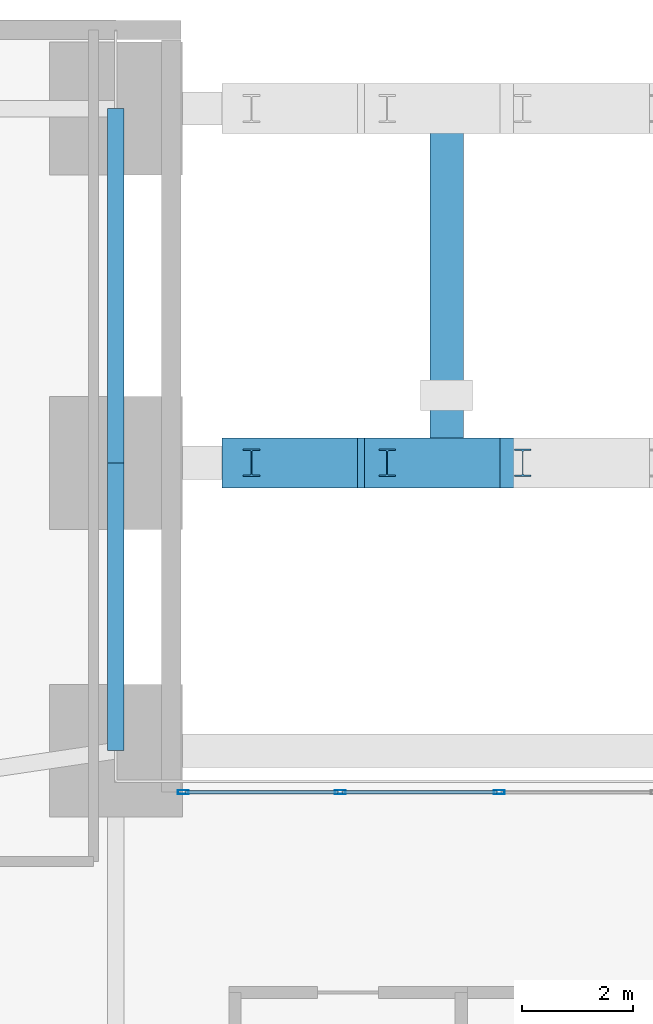
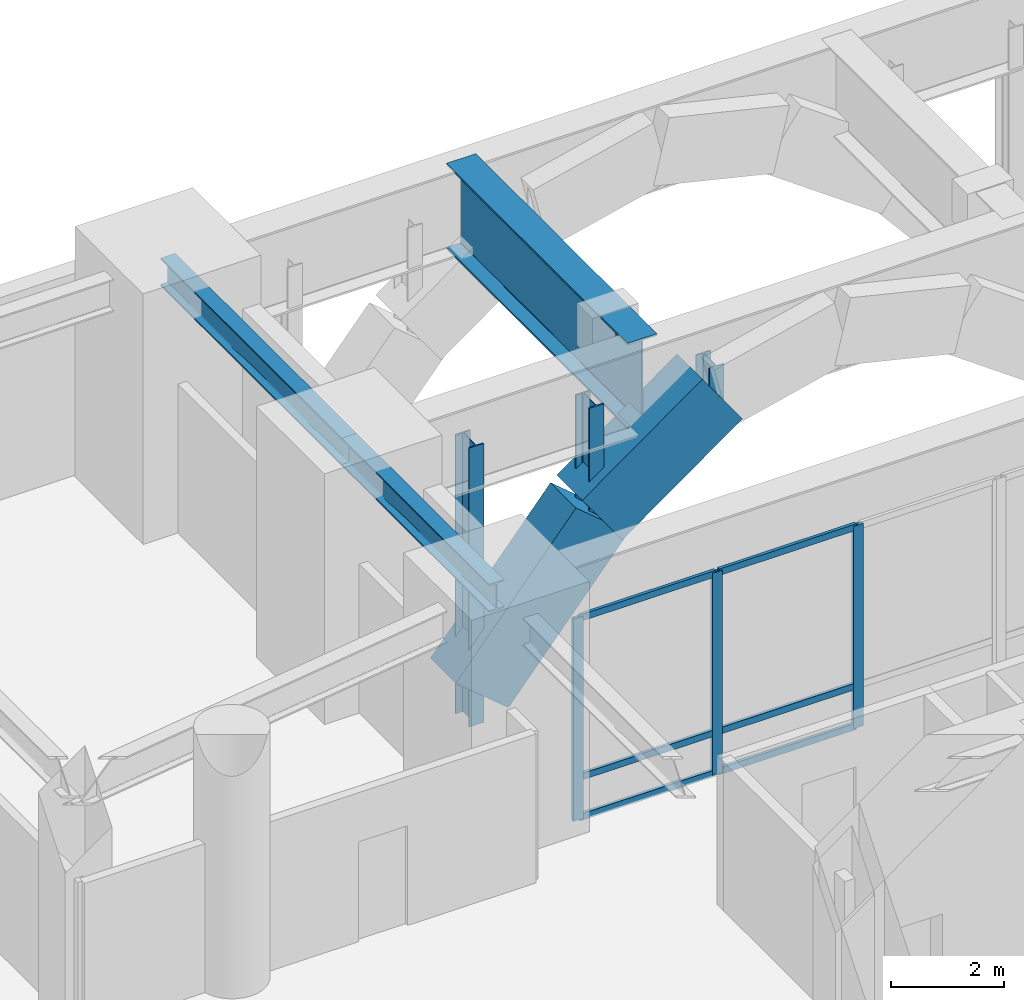
# One storey, part 8 of 18: 12 members, 5 beams, 1 element without a shape of its own.
"""IFC4 building model written with IfcOpenShell, lengths in metres."""

from ifc_helpers import new_model, si_unit, direction, frame, origin, origin_2d, place, context, subcontext, project, spatial, rectangle, hollow_rectangle, i_section, extrude, material, layer, layer_set, material_profile, profile_set, type_object, element, aggregate, save


model = new_model("IFC4")

# Units and contexts
model_context = context("Model", 3, precision=1e-05, world=origin(), true_north=direction((0.0, 1.0)))
body_context = subcontext(model_context, "Body", "Model", "MODEL_VIEW")
ifc_project = project(units=[si_unit("LENGTHUNIT", "METRE"), si_unit("AREAUNIT", "SQUARE_METRE"), si_unit("VOLUMEUNIT", "CUBIC_METRE"), si_unit("PLANEANGLEUNIT", "RADIAN"), si_unit("MASSUNIT", "GRAM", prefix="KILO"), si_unit("THERMODYNAMICTEMPERATUREUNIT", "KELVIN"), si_unit("POWERUNIT", "WATT")], contexts=[model_context])

# Site, building, storey
site_placement = place(None, origin())
site = spatial("IfcSite", under=ifc_project, at=site_placement, CompositionType="ELEMENT")
building_placement = place(site_placement, origin())
building = spatial("IfcBuilding", under=site, at=building_placement, Name="Ocrelia Relay Tower", CompositionType="ELEMENT")
storey_placement = place(building_placement, frame((0.0, 0.0, 10.199951171875)))
storey = spatial("IfcBuildingStorey", under=building, at=storey_placement, Name="L02", CompositionType="ELEMENT", Elevation=10.199951171875)

# Beams
ifc_material_1 = material(Name="Concrete C70/85", Category="concrete")
ifc_material_profile_1 = material_profile(ifc_material_1, rectangle(XDim=0.89990234375, YDim=1.39990234375, at=origin_2d()), Name="RC-BM-900x1400")
ifc_profile_set_1 = profile_set([ifc_material_profile_1], Name="Concrete C70/85")
beam_type_1 = type_object("IfcBeamType", Name="BM-ARCH-RIB", PredefinedType="USERDEFINED", material=ifc_profile_set_1)
beam_1_placement = place(storey_placement, frame((26.64990234375, 44.0, -1.107177734375), z_axis=(0.642360114755, 0.0, 0.766402950785), x_axis=(0.0, 1.0, 0.0)))
element("IfcBeam", 1, at=beam_1_placement, inside=storey, type_object=beam_type_1, Name="Monumental Portal Arch Rib N2 Seg 2", ObjectType="PORTAL ARCH", PredefinedType="USERDEFINED", context=body_context, shape_type="SweptSolid", body=[
    extrude(rectangle(XDim=0.89990234375, YDim=1.39990234375, at=origin_2d()), origin(), (0.0, 0.0, 1.0), 3.814453125),
])
beam_2_placement = place(storey_placement, frame((29.10009765625, 44.0, 1.816162109375), z_axis=(0.813075999957, 0.0, 0.582157554528), x_axis=(0.0, 1.0, 0.0)))
element("IfcBeam", 2, at=beam_2_placement, inside=storey, type_object=beam_type_1, Name="Monumental Portal Arch Rib N2 Seg 3", ObjectType="PORTAL ARCH", PredefinedType="USERDEFINED", context=body_context, shape_type="SweptSolid", body=[
    extrude(rectangle(XDim=0.89990234375, YDim=1.39990234375, at=origin_2d()), origin(), (0.0, 0.0, 1.0), 3.01318359375),
])
ifc_material_2 = material(Name="Steel S355", Category="steel")
ifc_material_profile_2 = material_profile(ifc_material_2, i_section(OverallWidth=0.300048828125, OverallDepth=0.60009765625, WebThickness=0.015380859375, FlangeThickness=0.030029296875, FilletRadius=0.027099609375, at=origin_2d()), Name="HEB 600")
ifc_profile_set_2 = profile_set([ifc_material_profile_2], Name="Steel S355")
beam_type_2 = type_object("IfcBeamType", Name="BM-HEB600", PredefinedType="BEAM", material=ifc_profile_set_2)
beam_3_placement = place(storey_placement, frame((24.199951171875, 38.800048828125, 4.780029296875), z_axis=(0.0, 1.0, 0.0), x_axis=(-1.0, 0.0, 0.0)))
element("IfcBeam", 3, at=beam_3_placement, inside=storey, type_object=beam_type_2, Name="L02 Pier Line Tie Girder AW-4", PredefinedType="BEAM", context=body_context, shape_type="SweptSolid", body=[
    extrude(i_section(OverallWidth=0.300048828125, OverallDepth=0.60009765625, WebThickness=0.015380859375, FlangeThickness=0.030029296875, FilletRadius=0.027099609375, at=origin_2d()), origin(), (0.0, 0.0, 1.0), 5.199951171875),
])
beam_4_placement = place(storey_placement, frame((24.199951171875, 44.0, 4.780029296875), z_axis=(0.0, 1.0, 0.0), x_axis=(-1.0, 0.0, 0.0)))
element("IfcBeam", 4, at=beam_4_placement, inside=storey, type_object=beam_type_2, Name="L02 Pier Line Tie Girder AW-5", PredefinedType="BEAM", context=body_context, shape_type="SweptSolid", body=[
    extrude(i_section(OverallWidth=0.300048828125, OverallDepth=0.60009765625, WebThickness=0.015380859375, FlangeThickness=0.030029296875, FilletRadius=0.027099609375, at=origin_2d()), origin(), (0.0, 0.0, 1.0), 6.39990234375),
])
ifc_material_profile_3 = material_profile(ifc_material_2, i_section(OverallWidth=0.60009765625, OverallDepth=1.85009765625, WebThickness=0.028076171875, FlangeThickness=0.0400390625, FilletRadius=0.02001953125, at=origin_2d()), Name="WPG 1850x600")
ifc_profile_set_3 = profile_set([ifc_material_profile_3], Name="Steel S355")
beam_type_3 = type_object("IfcBeamType", Name="BM-WPG1650", PredefinedType="T_BEAM", material=ifc_profile_set_3)
beam_5_placement = place(storey_placement, frame((30.17626953125, 44.0, 4.155029296875), z_axis=(0.0, 1.0, 0.0), x_axis=(-1.0, 0.0, 0.0)))
element("IfcBeam", 5, at=beam_5_placement, inside=storey, type_object=beam_type_3, Name="Portal Arch Column Collector Transfer Girder Z1-05", PredefinedType="T_BEAM", context=body_context, shape_type="SweptSolid", body=[
    extrude(i_section(OverallWidth=0.60009765625, OverallDepth=1.85009765625, WebThickness=0.028076171875, FlangeThickness=0.0400390625, FilletRadius=0.02001953125, at=origin_2d()), origin(), (0.0, 0.0, 1.0), 6.39990234375),
])

# Curtain wall, members
ifc_material_3 = material(Name="Aluminium and solar-control low-E glass", Category="aluminium")
ifc_layer = layer(ifc_material_3, 0.179931640625, Name="Aluminium and solar-control low-E glass")
ifc_layer_set = layer_set([ifc_layer], Name="Aluminium and solar-control low-E glass")
curtain_wall_type = type_object("IfcCurtainWallType", Name="CW-SYS-POD-ARCH", PredefinedType="NOTDEFINED", material=ifc_layer_set)
curtain_wall_placement = place(storey_placement, origin())
curtain_wall = element("IfcCurtainWall", 6, at=curtain_wall_placement, inside=storey, type_object=curtain_wall_type, Name="L02 North Portal Concourse Glazed Screen West", PredefinedType="NOTDEFINED")
ifc_material_4 = material(Name="Anodised bronze aluminium", Category="aluminium")
ifc_material_profile_4 = material_profile(ifc_material_4, hollow_rectangle(XDim=0.074951171875, YDim=0.199951171875, WallThickness=0.006103515625, at=origin_2d()), Name="CW-MUL-200x75")
ifc_profile_set_4 = profile_set([ifc_material_profile_4], Name="Anodised bronze aluminium")
member_type_1 = type_object("IfcMemberType", Name="CW-SYS-POD-ARCH-MUL", PredefinedType="MULLION", material=ifc_profile_set_4)
member_1_placement = place(storey_placement, frame((25.41748046875, 38.050048828125, 0.0), z_axis=(0.0, 0.0, 1.0), x_axis=(0.0, 1.0, 0.0)))
member_1 = element("IfcMember", 7, at=member_1_placement, type_object=member_type_1, Name="CW-PA mullion 1", PredefinedType="MULLION", context=body_context, shape_type="SweptSolid", body=[
    extrude(hollow_rectangle(XDim=0.074951171875, YDim=0.199951171875, WallThickness=0.006103515625, at=origin_2d()), origin(), (0.0, 0.0, 1.0), 4.360107421875),
])
member_2_placement = place(storey_placement, frame((28.25341796875, 38.050048828125, 0.0), z_axis=(0.0, 0.0, 1.0), x_axis=(0.0, 1.0, 0.0)))
member_2 = element("IfcMember", 8, at=member_2_placement, type_object=member_type_1, Name="CW-PA mullion 2", PredefinedType="MULLION", context=body_context, shape_type="SweptSolid", body=[
    extrude(hollow_rectangle(XDim=0.074951171875, YDim=0.199951171875, WallThickness=0.006103515625, at=origin_2d()), origin(), (0.0, 0.0, 1.0), 4.360107421875),
])
member_3_placement = place(storey_placement, frame((31.126708984375, 38.050048828125, 0.0), z_axis=(0.0, 0.0, 1.0), x_axis=(0.0, 1.0, 0.0)))
member_3 = element("IfcMember", 9, at=member_3_placement, type_object=member_type_1, Name="CW-PA mullion 3", PredefinedType="MULLION", context=body_context, shape_type="SweptSolid", body=[
    extrude(hollow_rectangle(XDim=0.074951171875, YDim=0.199951171875, WallThickness=0.006103515625, at=origin_2d()), origin(), (0.0, 0.0, 1.0), 4.360107421875),
])
ifc_material_profile_5 = material_profile(ifc_material_4, hollow_rectangle(XDim=0.06494140625, YDim=0.139892578125, WallThickness=0.0048828125, at=origin_2d()), Name="CW-TRN-140x65")
ifc_profile_set_5 = profile_set([ifc_material_profile_5], Name="Anodised bronze aluminium")
member_type_2 = type_object("IfcMemberType", Name="CW-SYS-POD-ARCH-TRN", PredefinedType="USERDEFINED", material=ifc_profile_set_5)
member_4_placement = place(storey_placement, frame((25.455078125, 38.050048828125, 0.032470703125), z_axis=(1.0, 0.0, 0.0), x_axis=(0.0, 1.0, 0.0)))
member_4 = element("IfcMember", 10, at=member_4_placement, type_object=member_type_2, Name="CW-PA transom 1.1", ObjectType="TRANSOM", PredefinedType="USERDEFINED", context=body_context, shape_type="SweptSolid", body=[
    extrude(hollow_rectangle(XDim=0.06494140625, YDim=0.139892578125, WallThickness=0.0048828125, at=origin_2d()), origin(), (0.0, 0.0, 1.0), 2.7607421875),
])
member_5_placement = place(storey_placement, frame((25.455078125, 38.050048828125, 0.900146484375), z_axis=(1.0, 0.0, 0.0), x_axis=(0.0, 1.0, 0.0)))
member_5 = element("IfcMember", 11, at=member_5_placement, type_object=member_type_2, Name="CW-PA transom 1.2", ObjectType="TRANSOM", PredefinedType="USERDEFINED", context=body_context, shape_type="SweptSolid", body=[
    extrude(hollow_rectangle(XDim=0.06494140625, YDim=0.139892578125, WallThickness=0.0048828125, at=origin_2d()), origin(), (0.0, 0.0, 1.0), 2.7607421875),
])
member_6_placement = place(storey_placement, frame((25.455078125, 38.050048828125, 4.32763671875), z_axis=(1.0, 0.0, 0.0), x_axis=(0.0, 1.0, 0.0)))
member_6 = element("IfcMember", 12, at=member_6_placement, type_object=member_type_2, Name="CW-PA transom 1.3", ObjectType="TRANSOM", PredefinedType="USERDEFINED", context=body_context, shape_type="SweptSolid", body=[
    extrude(hollow_rectangle(XDim=0.06494140625, YDim=0.139892578125, WallThickness=0.0048828125, at=origin_2d()), origin(), (0.0, 0.0, 1.0), 2.7607421875),
])
member_7_placement = place(storey_placement, frame((28.290771484375, 38.050048828125, 0.032470703125), z_axis=(1.0, 0.0, 0.0), x_axis=(0.0, 1.0, 0.0)))
member_7 = element("IfcMember", 13, at=member_7_placement, type_object=member_type_2, Name="CW-PA transom 2.1", ObjectType="TRANSOM", PredefinedType="USERDEFINED", context=body_context, shape_type="SweptSolid", body=[
    extrude(hollow_rectangle(XDim=0.06494140625, YDim=0.139892578125, WallThickness=0.0048828125, at=origin_2d()), origin(), (0.0, 0.0, 1.0), 2.79833984375),
])
member_8_placement = place(storey_placement, frame((28.290771484375, 38.050048828125, 0.900146484375), z_axis=(1.0, 0.0, 0.0), x_axis=(0.0, 1.0, 0.0)))
member_8 = element("IfcMember", 14, at=member_8_placement, type_object=member_type_2, Name="CW-PA transom 2.2", ObjectType="TRANSOM", PredefinedType="USERDEFINED", context=body_context, shape_type="SweptSolid", body=[
    extrude(hollow_rectangle(XDim=0.06494140625, YDim=0.139892578125, WallThickness=0.0048828125, at=origin_2d()), origin(), (0.0, 0.0, 1.0), 2.79833984375),
])
member_9_placement = place(storey_placement, frame((28.290771484375, 38.050048828125, 4.32763671875), z_axis=(1.0, 0.0, 0.0), x_axis=(0.0, 1.0, 0.0)))
member_9 = element("IfcMember", 15, at=member_9_placement, type_object=member_type_2, Name="CW-PA transom 2.3", ObjectType="TRANSOM", PredefinedType="USERDEFINED", context=body_context, shape_type="SweptSolid", body=[
    extrude(hollow_rectangle(XDim=0.06494140625, YDim=0.139892578125, WallThickness=0.0048828125, at=origin_2d()), origin(), (0.0, 0.0, 1.0), 2.79833984375),
])
aggregate(curtain_wall, [member_1, member_2, member_3, member_4, member_5, member_6, member_7, member_8, member_9])

# Members
ifc_material_profile_6 = material_profile(ifc_material_2, i_section(OverallWidth=0.300048828125, OverallDepth=0.5, WebThickness=0.014404296875, FlangeThickness=0.028076171875, FilletRadius=0.027099609375, at=origin_2d()), Name="HEB 500")
ifc_profile_set_6 = profile_set([ifc_material_profile_6], Name="Steel S355")
member_type_3 = type_object("IfcMemberType", Name="MB-RAKER-STRUT", PredefinedType="STRUT", material=ifc_profile_set_6)
member_10_placement = place(storey_placement, frame((26.64990234375, 44.0, -1.857177734375), z_axis=(0.0, 0.0, 1.0), x_axis=(1.0, 0.0, 0.0)))
element("IfcMember", 16, at=member_10_placement, inside=storey, type_object=member_type_3, Name="Portal Arch Spandrel Hanger N2-1", PredefinedType="STRUT", context=body_context, shape_type="SweptSolid", body=[
    extrude(i_section(OverallWidth=0.300048828125, OverallDepth=0.5, WebThickness=0.014404296875, FlangeThickness=0.028076171875, FilletRadius=0.027099609375, at=origin_2d()), origin(), (0.0, 0.0, 1.0), 6.01220703125),
])
member_11_placement = place(storey_placement, frame((29.10009765625, 44.0, 1.066162109375), z_axis=(0.0, 0.0, 1.0), x_axis=(1.0, 0.0, 0.0)))
element("IfcMember", 17, at=member_11_placement, inside=storey, type_object=member_type_3, Name="Portal Arch Spandrel Hanger N2-2", PredefinedType="STRUT", context=body_context, shape_type="SweptSolid", body=[
    extrude(i_section(OverallWidth=0.300048828125, OverallDepth=0.5, WebThickness=0.014404296875, FlangeThickness=0.028076171875, FilletRadius=0.027099609375, at=origin_2d()), origin(), (0.0, 0.0, 1.0), 3.0888671875),
])
member_12_placement = place(storey_placement, frame((31.550048828125, 44.0, 2.8203125), z_axis=(0.0, 0.0, 1.0), x_axis=(1.0, 0.0, 0.0)))
element("IfcMember", 18, at=member_12_placement, inside=storey, type_object=member_type_3, Name="Portal Arch Spandrel Hanger N2-3", PredefinedType="STRUT", context=body_context, shape_type="SweptSolid", body=[
    extrude(i_section(OverallWidth=0.300048828125, OverallDepth=0.5, WebThickness=0.014404296875, FlangeThickness=0.028076171875, FilletRadius=0.027099609375, at=origin_2d()), origin(), (0.0, 0.0, 1.0), 1.334716796875),
])

save(model, "model.ifc")
